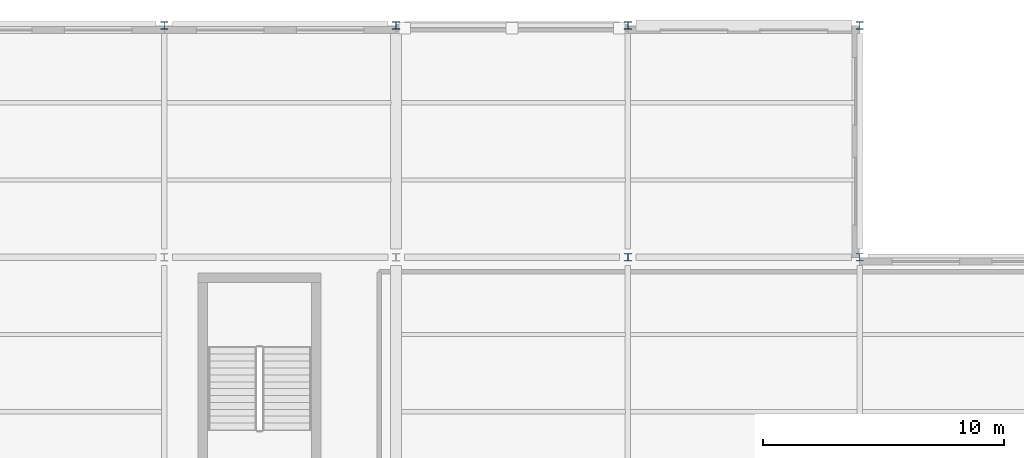
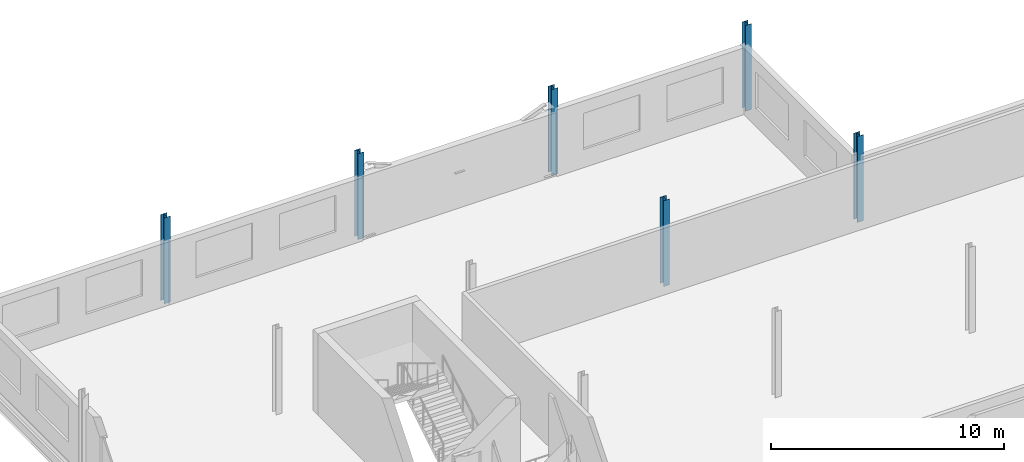
# One storey, part 9 of 69: 6 columns.
"""IFC4 building model written with IfcOpenShell, lengths in metres."""

from ifc_helpers import new_model, si_unit, direction, frame, origin, origin_2d, place, context, subcontext, project, spatial, i_section, extrude, material, material_profile, profile_set, type_object, element, save


model = new_model("IFC4")

# Units and contexts
model_context = context("Model", 3, precision=1e-05, world=origin(), true_north=direction((0.0, 1.0)))
body_context = subcontext(model_context, "Body", "Model", "MODEL_VIEW")
ifc_project = project(units=[si_unit("LENGTHUNIT", "METRE"), si_unit("AREAUNIT", "SQUARE_METRE"), si_unit("VOLUMEUNIT", "CUBIC_METRE"), si_unit("PLANEANGLEUNIT", "RADIAN"), si_unit("MASSUNIT", "GRAM", prefix="KILO")], contexts=[model_context])

# Site, building, storey
site_placement = place(None, origin())
site = spatial("IfcSite", under=ifc_project, at=site_placement, CompositionType="ELEMENT")
building_placement = place(site_placement, origin())
building = spatial("IfcBuilding", under=site, at=building_placement, Name="Caelomonte Colonnade Arena", CompositionType="ELEMENT")
storey_placement = place(building_placement, frame((0.0, 0.0, 18.60009765625)))
storey = spatial("IfcBuildingStorey", under=building, at=storey_placement, Name="L04", CompositionType="ELEMENT", Elevation=18.60009765625)

# Columns
ifc_material = material(Name="Wide-flange steel ASTM A992 Grade 50", Category="steel")
ifc_material_profile = material_profile(ifc_material, i_section(OverallWidth=0.3046875, OverallDepth=0.307861328125, WebThickness=0.010009765625, FlangeThickness=0.015380859375, FilletRadius=0.0126953125, at=origin_2d()), Name="W12X65")
ifc_profile_set = profile_set([ifc_material_profile], Name="Wide-flange steel ASTM A992 Grade 50")
column_type = type_object("IfcColumnType", Name="STR-COL-W12A", PredefinedType="COLUMN", material=ifc_profile_set)
for number, where, z_axis, x_axis, name in (
    (1, (153.60009765625, 144.0, 0.0), (0.0, 0.0, 1.0), (1.0, 0.0, 0.0), "L04 column (153.6, 144.0)"),
    (2, (163.199951171875, 144.0, 0.0), (0.0, 0.0, 1.0), (1.0, 0.0, 0.0), "L04 column (163.2, 144.0)"),
    (3, (172.800048828125, 134.39990234375, 0.0), (0.0, 0.0, 1.0), (1.0, 0.0, 0.0), "L04 column (172.8, 134.4)"),
    (4, (172.800048828125, 144.0, 0.0), (0.0, 0.0, 1.0), (1.0, 0.0, 0.0), "L04 column (172.8, 144.0)"),
    (5, (182.39990234375, 134.39990234375, 0.0), (0.0, 0.0, 1.0), (1.0, 0.0, 0.0), "L04 column (182.4, 134.4)"),
    (6, (182.39990234375, 144.0, 0.0), (0.0, 0.0, 1.0), (1.0, 0.0, 0.0), "L04 column (182.4, 144.0)"),
):
    element("IfcColumn", number, at=place(storey_placement, frame(where, z_axis=z_axis, x_axis=x_axis)), inside=storey, type_object=column_type, Name=name, PredefinedType="COLUMN", context=body_context, shape_type="SweptSolid", body=[
        extrude(i_section(OverallWidth=0.3046875, OverallDepth=0.307861328125, WebThickness=0.010009765625, FlangeThickness=0.015380859375, FilletRadius=0.0126953125, at=origin_2d()), origin(), (0.0, 0.0, 1.0), 4.5),
    ])

save(model, "model.ifc")
